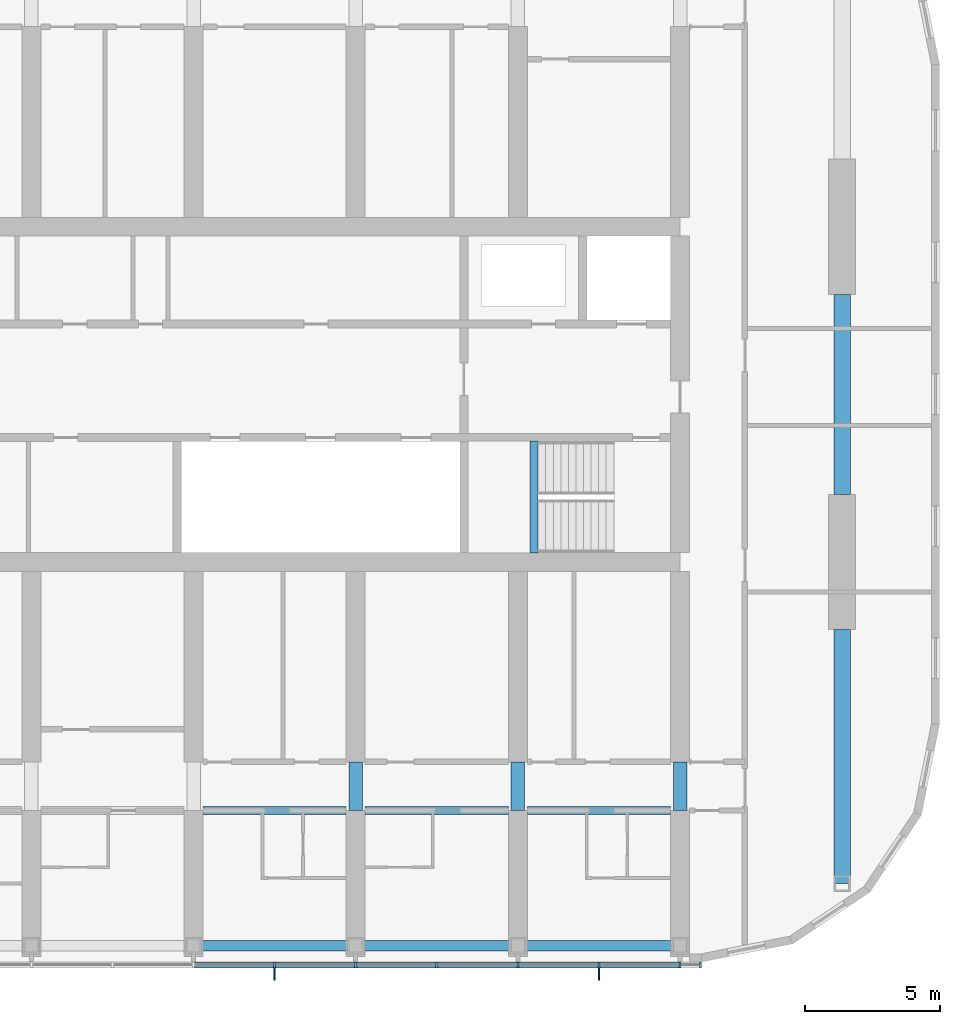
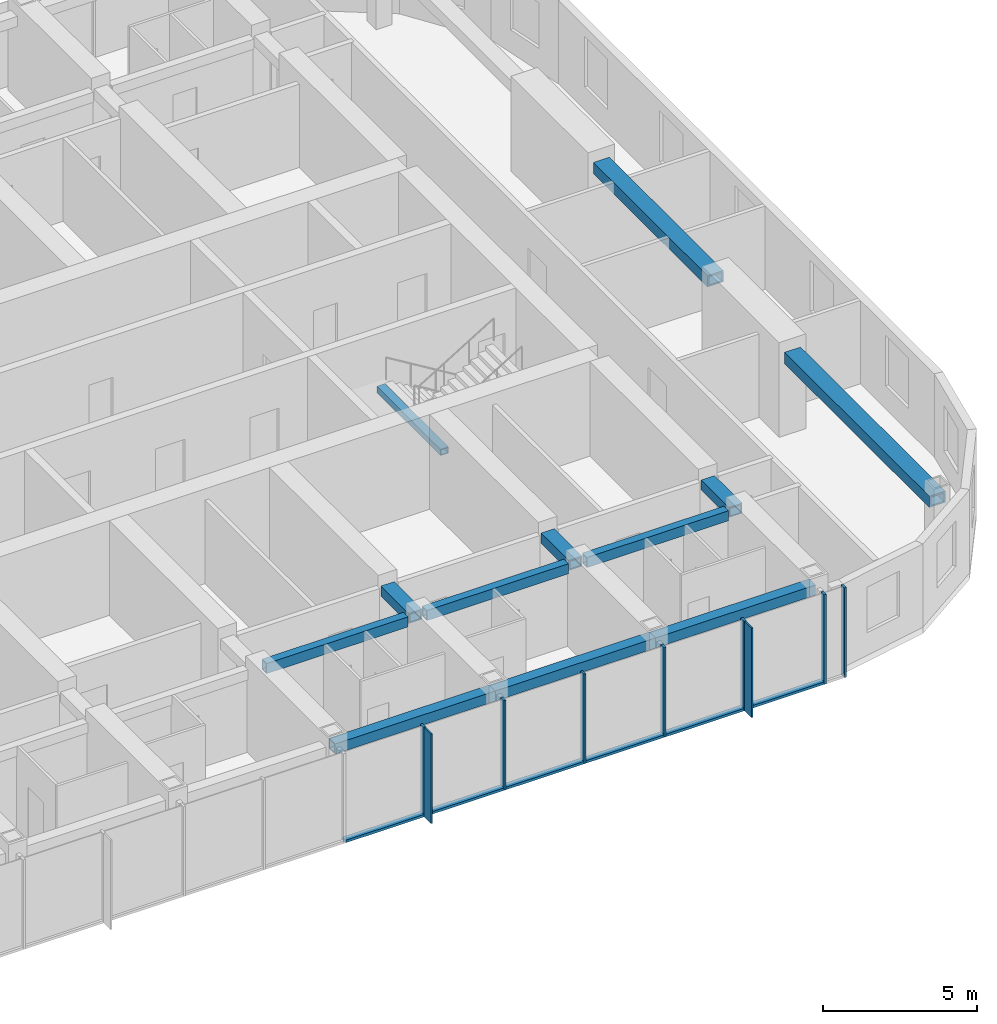
# One storey, part 3 of 23: 15 members, 12 beams, 1 element without a shape of its own.
"""IFC4 building model written with IfcOpenShell, lengths in metres."""

from ifc_helpers import new_model, si_unit, direction, frame, origin, origin_2d, place, context, subcontext, project, spatial, rectangle, hollow_rectangle, extrude, material, material_profile, profile_set, type_object, element, aggregate, save


model = new_model("IFC4")

# Units and contexts
model_context = context("Model", 3, precision=1e-05, world=origin(), true_north=direction((0.0, 1.0)))
body_context = subcontext(model_context, "Body", "Model", "MODEL_VIEW")
ifc_project = project(units=[si_unit("LENGTHUNIT", "METRE"), si_unit("AREAUNIT", "SQUARE_METRE"), si_unit("VOLUMEUNIT", "CUBIC_METRE"), si_unit("PLANEANGLEUNIT", "RADIAN"), si_unit("MASSUNIT", "GRAM", prefix="KILO")], contexts=[model_context])

# Site, building, storey
site_placement = place(None, origin())
site = spatial("IfcSite", under=ifc_project, at=site_placement, CompositionType="ELEMENT")
building_placement = place(site_placement, origin())
building = spatial("IfcBuilding", under=site, at=building_placement, Name="Orbita Commons", CompositionType="ELEMENT")
storey_placement = place(building_placement, frame((0.0, 0.0, 227.800048828125)))
storey = spatial("IfcBuildingStorey", under=building, at=storey_placement, Name="L56", CompositionType="ELEMENT", Elevation=227.800048828125)

# Curtain wall, members
ifc_material_1 = material(Name="Anodised aluminium frame, pale silver", Category="aluminium")
curtain_wall_type = type_object("IfcCurtainWallType", Name="Unitised curtain wall CW-U, full-height vision", PredefinedType="NOTDEFINED", material=ifc_material_1)
curtain_wall_placement = place(storey_placement, origin())
curtain_wall = element("IfcCurtainWall", 1, at=curtain_wall_placement, inside=storey, type_object=curtain_wall_type, Name="Curtain wall south L56", PredefinedType="NOTDEFINED")
ifc_material_2 = material(Name="Anodised aluminium, pale silver", Category="aluminium")
ifc_material_profile_1 = material_profile(ifc_material_2, rectangle(XDim=0.080078125, YDim=0.219970703125, at=origin_2d()), Name="AL 80x220")
ifc_profile_set_1 = profile_set([ifc_material_profile_1], Name="Anodised aluminium, pale silver")
member_type_1 = type_object("IfcMemberType", Name="Curtain wall mullion 80x220", PredefinedType="MULLION", material=ifc_profile_set_1)
member_1_placement = place(storey_placement, frame((51.0, 10.889892578125, -0.25), z_axis=(0.0, 0.0, 1.0), x_axis=(1.0, 0.0, 0.0)))
member_1 = element("IfcMember", 2, at=member_1_placement, type_object=member_type_1, Name="Mullion 13 CW-L56-S", PredefinedType="MULLION", context=body_context, shape_type="SweptSolid", body=[
    extrude(rectangle(XDim=0.080078125, YDim=0.219970703125, at=origin_2d()), origin(), (0.0, 0.0, 1.0), 3.550048828125),
])
member_2_placement = place(storey_placement, frame((54.0, 10.889892578125, -0.25), z_axis=(0.0, 0.0, 1.0), x_axis=(1.0, 0.0, 0.0)))
member_2 = element("IfcMember", 3, at=member_2_placement, type_object=member_type_1, Name="Mullion 14 CW-L56-S", PredefinedType="MULLION", context=body_context, shape_type="SweptSolid", body=[
    extrude(rectangle(XDim=0.080078125, YDim=0.219970703125, at=origin_2d()), origin(), (0.0, 0.0, 1.0), 3.550048828125),
])
member_3_placement = place(storey_placement, frame((57.0, 10.889892578125, -0.25), z_axis=(0.0, 0.0, 1.0), x_axis=(1.0, 0.0, 0.0)))
member_3 = element("IfcMember", 4, at=member_3_placement, type_object=member_type_1, Name="Mullion 15 CW-L56-S", PredefinedType="MULLION", context=body_context, shape_type="SweptSolid", body=[
    extrude(rectangle(XDim=0.080078125, YDim=0.219970703125, at=origin_2d()), origin(), (0.0, 0.0, 1.0), 3.550048828125),
])
member_4_placement = place(storey_placement, frame((60.0, 10.889892578125, -0.25), z_axis=(0.0, 0.0, 1.0), x_axis=(1.0, 0.0, 0.0)))
member_4 = element("IfcMember", 5, at=member_4_placement, type_object=member_type_1, Name="Mullion 16 CW-L56-S", PredefinedType="MULLION", context=body_context, shape_type="SweptSolid", body=[
    extrude(rectangle(XDim=0.080078125, YDim=0.219970703125, at=origin_2d()), origin(), (0.0, 0.0, 1.0), 3.550048828125),
])
member_5_placement = place(storey_placement, frame((63.0, 10.889892578125, -0.25), z_axis=(0.0, 0.0, 1.0), x_axis=(1.0, 0.0, 0.0)))
member_5 = element("IfcMember", 6, at=member_5_placement, type_object=member_type_1, Name="Mullion 17 CW-L56-S", PredefinedType="MULLION", context=body_context, shape_type="SweptSolid", body=[
    extrude(rectangle(XDim=0.080078125, YDim=0.219970703125, at=origin_2d()), origin(), (0.0, 0.0, 1.0), 3.550048828125),
])
member_6_placement = place(storey_placement, frame((66.0, 10.889892578125, -0.25), z_axis=(0.0, 0.0, 1.0), x_axis=(1.0, 0.0, 0.0)))
member_6 = element("IfcMember", 7, at=member_6_placement, type_object=member_type_1, Name="Mullion 18 CW-L56-S", PredefinedType="MULLION", context=body_context, shape_type="SweptSolid", body=[
    extrude(rectangle(XDim=0.080078125, YDim=0.219970703125, at=origin_2d()), origin(), (0.0, 0.0, 1.0), 3.550048828125),
])
member_7_placement = place(storey_placement, frame((66.760009765625, 10.889892578125, -0.25), z_axis=(0.0, 0.0, 1.0), x_axis=(1.0, 0.0, 0.0)))
member_7 = element("IfcMember", 8, at=member_7_placement, type_object=member_type_1, Name="Mullion 19 CW-L56-S", PredefinedType="MULLION", context=body_context, shape_type="SweptSolid", body=[
    extrude(rectangle(XDim=0.080078125, YDim=0.219970703125, at=origin_2d()), origin(), (0.0, 0.0, 1.0), 3.550048828125),
])
ifc_material_3 = material(Name="Anodised aluminium, pale silver", Category="aluminium")
ifc_material_profile_2 = material_profile(ifc_material_3, rectangle(XDim=0.219970703125, YDim=0.10009765625, at=origin_2d()), Name="AL 220x100")
ifc_profile_set_2 = profile_set([ifc_material_profile_2], Name="Anodised aluminium, pale silver")
member_type_2 = type_object("IfcMemberType", Name="Curtain wall stack transom 220x100", PredefinedType="USERDEFINED", material=ifc_profile_set_2)
member_8_placement = place(storey_placement, frame((48.0400390625, 10.889892578125, -0.199951171875), z_axis=(1.0, 0.0, 0.0), x_axis=(0.0, 1.0, 0.0)))
member_8 = element("IfcMember", 9, at=member_8_placement, type_object=member_type_2, Name="Transom 12.1 CW-L56-S", ObjectType="TRANSOM", PredefinedType="USERDEFINED", context=body_context, shape_type="SweptSolid", body=[
    extrude(rectangle(XDim=0.219970703125, YDim=0.10009765625, at=origin_2d()), origin(), (0.0, 0.0, 1.0), 2.919921875),
])
member_9_placement = place(storey_placement, frame((51.0400390625, 10.889892578125, -0.199951171875), z_axis=(1.0, 0.0, 0.0), x_axis=(0.0, 1.0, 0.0)))
member_9 = element("IfcMember", 10, at=member_9_placement, type_object=member_type_2, Name="Transom 13.1 CW-L56-S", ObjectType="TRANSOM", PredefinedType="USERDEFINED", context=body_context, shape_type="SweptSolid", body=[
    extrude(rectangle(XDim=0.219970703125, YDim=0.10009765625, at=origin_2d()), origin(), (0.0, 0.0, 1.0), 2.919921875),
])
member_10_placement = place(storey_placement, frame((54.0400390625, 10.889892578125, -0.199951171875), z_axis=(1.0, 0.0, 0.0), x_axis=(0.0, 1.0, 0.0)))
member_10 = element("IfcMember", 11, at=member_10_placement, type_object=member_type_2, Name="Transom 14.1 CW-L56-S", ObjectType="TRANSOM", PredefinedType="USERDEFINED", context=body_context, shape_type="SweptSolid", body=[
    extrude(rectangle(XDim=0.219970703125, YDim=0.10009765625, at=origin_2d()), origin(), (0.0, 0.0, 1.0), 2.919921875),
])
member_11_placement = place(storey_placement, frame((57.0400390625, 10.889892578125, -0.199951171875), z_axis=(1.0, 0.0, 0.0), x_axis=(0.0, 1.0, 0.0)))
member_11 = element("IfcMember", 12, at=member_11_placement, type_object=member_type_2, Name="Transom 15.1 CW-L56-S", ObjectType="TRANSOM", PredefinedType="USERDEFINED", context=body_context, shape_type="SweptSolid", body=[
    extrude(rectangle(XDim=0.219970703125, YDim=0.10009765625, at=origin_2d()), origin(), (0.0, 0.0, 1.0), 2.919921875),
])
member_12_placement = place(storey_placement, frame((60.0400390625, 10.889892578125, -0.199951171875), z_axis=(1.0, 0.0, 0.0), x_axis=(0.0, 1.0, 0.0)))
member_12 = element("IfcMember", 13, at=member_12_placement, type_object=member_type_2, Name="Transom 16.1 CW-L56-S", ObjectType="TRANSOM", PredefinedType="USERDEFINED", context=body_context, shape_type="SweptSolid", body=[
    extrude(rectangle(XDim=0.219970703125, YDim=0.10009765625, at=origin_2d()), origin(), (0.0, 0.0, 1.0), 2.919921875),
])
member_13_placement = place(storey_placement, frame((63.0400390625, 10.889892578125, -0.199951171875), z_axis=(1.0, 0.0, 0.0), x_axis=(0.0, 1.0, 0.0)))
member_13 = element("IfcMember", 14, at=member_13_placement, type_object=member_type_2, Name="Transom 17.1 CW-L56-S", ObjectType="TRANSOM", PredefinedType="USERDEFINED", context=body_context, shape_type="SweptSolid", body=[
    extrude(rectangle(XDim=0.219970703125, YDim=0.10009765625, at=origin_2d()), origin(), (0.0, 0.0, 1.0), 2.919921875),
])

# Beams
ifc_material_4 = material(Name="Steel ASTM A572 Gr 50 welded plate", Category="steel")
ifc_material_profile_3 = material_profile(ifc_material_4, hollow_rectangle(XDim=0.300048828125, YDim=0.25, WallThickness=0.02490234375, at=origin_2d()), Name="BOX 250x300x25")
ifc_profile_set_3 = profile_set([ifc_material_profile_3], Name="Steel ASTM A572 Gr 50 welded plate")
beam_type_1 = type_object("IfcBeamType", Name="Stair landing beam steel BOX 250x300x25", PredefinedType="BEAM", material=ifc_profile_set_3)
beam_1_placement = place(storey_placement, frame((60.60009765625, 26.135009765625, 1.550048828125), z_axis=(0.0, 1.0, 0.0), x_axis=(-1.0, 0.0, 0.0)))
element("IfcBeam", 15, at=beam_1_placement, inside=storey, type_object=beam_type_1, Name="Stair S2 landing beam L56 1", PredefinedType="BEAM", context=body_context, shape_type="SweptSolid", body=[
    extrude(hollow_rectangle(XDim=0.300048828125, YDim=0.25, WallThickness=0.02490234375, at=origin_2d()), origin(), (0.0, 0.0, 1.0), 4.1298828125),
])
ifc_material_5 = material(Name="Steel ASTM A572 Gr 50 welded plate", Category="steel")
ifc_material_profile_4 = material_profile(ifc_material_5, hollow_rectangle(XDim=0.300048828125, YDim=0.39990234375, WallThickness=0.0400390625, at=origin_2d()), Name="BOX 400x300x40")
ifc_profile_set_4 = profile_set([ifc_material_profile_4], Name="Steel ASTM A572 Gr 50 welded plate")
beam_type_2 = type_object("IfcBeamType", Name="Steel corridor link BOX 400x300x40", PredefinedType="BEAM", material=ifc_profile_set_4)
for number, where, z_axis, x_axis, name in (
    (16, (48.35009765625, 16.60009765625, 3.099853515625), (1.0, 0.0, 0.0), (0.0, 1.0, 0.0), "Corridor beam SA 9-10 L56"),
    (17, (54.35009765625, 16.60009765625, 3.099853515625), (1.0, 0.0, 0.0), (0.0, 1.0, 0.0), "Corridor beam SA 10-11 L56"),
    (18, (60.35009765625, 16.60009765625, 3.099853515625), (1.0, 0.0, 0.0), (0.0, 1.0, 0.0), "Corridor beam SA 11-12 L56"),
):
    element("IfcBeam", number, at=place(storey_placement, frame(where, z_axis=z_axis, x_axis=x_axis)), inside=storey, type_object=beam_type_2, Name=name, PredefinedType="BEAM", context=body_context, shape_type="SweptSolid", body=[
        extrude(hollow_rectangle(XDim=0.300048828125, YDim=0.39990234375, WallThickness=0.0400390625, at=origin_2d()), origin(), (0.0, 0.0, 1.0), 5.2998046875),
    ])
ifc_material_6 = material(Name="Steel ASTM A572 Gr 50 welded plate", Category="steel")
ifc_material_profile_5 = material_profile(ifc_material_6, hollow_rectangle(XDim=0.5, YDim=0.39990234375, WallThickness=0.050048828125, at=origin_2d()), Name="BOX 400x500x50")
ifc_profile_set_5 = profile_set([ifc_material_profile_5], Name="Steel ASTM A572 Gr 50 welded plate")
beam_type_3 = type_object("IfcBeamType", Name="Steel coupling link BOX 400x500x50", PredefinedType="LINTEL", material=ifc_profile_set_5)
for number, where, z_axis, x_axis, name in (
    (19, (54.0, 16.60009765625, 3.099853515625), (0.0, 1.0, 0.0), (-1.0, 0.0, 0.0), "Coupling beam 10 south L56"),
    (20, (60.0, 16.60009765625, 3.099853515625), (0.0, 1.0, 0.0), (-1.0, 0.0, 0.0), "Coupling beam 11 south L56"),
    (21, (66.0, 16.60009765625, 3.099853515625), (0.0, 1.0, 0.0), (-1.0, 0.0, 0.0), "Coupling beam 12 south L56"),
):
    element("IfcBeam", number, at=place(storey_placement, frame(where, z_axis=z_axis, x_axis=x_axis)), inside=storey, type_object=beam_type_3, Name=name, PredefinedType="LINTEL", context=body_context, shape_type="SweptSolid", body=[
        extrude(hollow_rectangle(XDim=0.5, YDim=0.39990234375, WallThickness=0.050048828125, at=origin_2d()), origin(), (0.0, 0.0, 1.0), 1.7998046875),
    ])
ifc_material_7 = material(Name="Steel ASTM A572 Gr 50 welded plate", Category="steel")
ifc_material_profile_6 = material_profile(ifc_material_7, hollow_rectangle(XDim=0.60009765625, YDim=0.449951171875, WallThickness=0.06005859375, at=origin_2d()), Name="BOX 450x600x60")
ifc_profile_set_6 = profile_set([ifc_material_profile_6], Name="Steel ASTM A572 Gr 50 welded plate")
beam_type_4 = type_object("IfcBeamType", Name="Steel end frame link BOX 450x600x60", PredefinedType="BEAM", material=ifc_profile_set_6)
beam_2_placement = place(storey_placement, frame((72.0, 13.89990234375, 3.074951171875), z_axis=(0.0, 1.0, 0.0), x_axis=(-1.0, 0.0, 0.0)))
element("IfcBeam", 22, at=beam_2_placement, inside=storey, type_object=beam_type_4, Name="End frame beam 13 B-C L56", PredefinedType="BEAM", context=body_context, shape_type="SweptSolid", body=[
    extrude(hollow_rectangle(XDim=0.60009765625, YDim=0.449951171875, WallThickness=0.06005859375, at=origin_2d()), origin(), (0.0, 0.0, 1.0), 9.400146484375),
])
beam_3_placement = place(storey_placement, frame((72.0, 28.300048828125, 3.074951171875), z_axis=(0.0, 1.0, 0.0), x_axis=(-1.0, 0.0, 0.0)))
element("IfcBeam", 23, at=beam_3_placement, inside=storey, type_object=beam_type_4, Name="End frame beam 13 C-D L56", PredefinedType="BEAM", context=body_context, shape_type="SweptSolid", body=[
    extrude(hollow_rectangle(XDim=0.60009765625, YDim=0.449951171875, WallThickness=0.06005859375, at=origin_2d()), origin(), (0.0, 0.0, 1.0), 7.39990234375),
])
ifc_material_8 = material(Name="Steel ASTM A572 Gr 50 welded plate", Category="steel")
ifc_material_profile_7 = material_profile(ifc_material_8, hollow_rectangle(XDim=0.39990234375, YDim=0.39990234375, WallThickness=0.0400390625, at=origin_2d()), Name="BOX 400x400x40")
ifc_profile_set_7 = profile_set([ifc_material_profile_7], Name="Steel ASTM A572 Gr 50 welded plate")
beam_type_5 = type_object("IfcBeamType", Name="Steel spandrel BOX 400x400x40", PredefinedType="SPANDREL", material=ifc_profile_set_7)
for number, where, z_axis, x_axis, name in (
    (24, (48.0, 11.60009765625, 3.099853515625), (1.0, 0.0, 0.0), (0.0, 1.0, 0.0), "Spandrel beam B 9-10 L56"),
    (25, (54.0, 11.60009765625, 3.099853515625), (1.0, 0.0, 0.0), (0.0, 1.0, 0.0), "Spandrel beam B 10-11 L56"),
    (26, (60.0, 11.60009765625, 3.099853515625), (1.0, 0.0, 0.0), (0.0, 1.0, 0.0), "Spandrel beam B 11-12 L56"),
):
    element("IfcBeam", number, at=place(storey_placement, frame(where, z_axis=z_axis, x_axis=x_axis)), inside=storey, type_object=beam_type_5, Name=name, PredefinedType="SPANDREL", context=body_context, shape_type="SweptSolid", body=[
        extrude(hollow_rectangle(XDim=0.39990234375, YDim=0.39990234375, WallThickness=0.0400390625, at=origin_2d()), origin(), (0.0, 0.0, 1.0), 6.0),
    ])

# Member
ifc_material_9 = material(Name="Anodised aluminium, pale silver", Category="aluminium")
ifc_material_profile_8 = material_profile(ifc_material_9, rectangle(XDim=0.06005859375, YDim=0.449951171875, at=origin_2d()), Name="FIN 60x450")
ifc_profile_set_8 = profile_set([ifc_material_profile_8], Name="Anodised aluminium, pale silver")
member_type_3 = type_object("IfcMemberType", Name="Vertical fin 60x450 pale aluminium", PredefinedType="USERDEFINED", material=ifc_profile_set_8)
member_14_placement = place(storey_placement, frame((51.0, 10.554931640625, -0.25), z_axis=(0.0, 0.0, 1.0), x_axis=(1.0, 0.0, 0.0)))
member_14 = element("IfcMember", 27, at=member_14_placement, type_object=member_type_3, Name="Fin 13 CW-L56-S", ObjectType="FIN", PredefinedType="USERDEFINED", context=body_context, shape_type="SweptSolid", body=[
    extrude(rectangle(XDim=0.06005859375, YDim=0.449951171875, at=origin_2d()), origin(), (0.0, 0.0, 1.0), 3.550048828125),
])

member_15_placement = place(storey_placement, frame((63.0, 10.554931640625, -0.25), z_axis=(0.0, 0.0, 1.0), x_axis=(1.0, 0.0, 0.0)))
member_15 = element("IfcMember", 28, at=member_15_placement, type_object=member_type_3, Name="Fin 17 CW-L56-S", ObjectType="FIN", PredefinedType="USERDEFINED", context=body_context, shape_type="SweptSolid", body=[
    extrude(rectangle(XDim=0.06005859375, YDim=0.449951171875, at=origin_2d()), origin(), (0.0, 0.0, 1.0), 3.550048828125),
])

aggregate(curtain_wall, [member_1, member_14, member_2, member_3, member_4, member_5, member_15, member_6, member_7, member_8, member_9, member_10, member_11, member_12, member_13])

save(model, "model.ifc")
